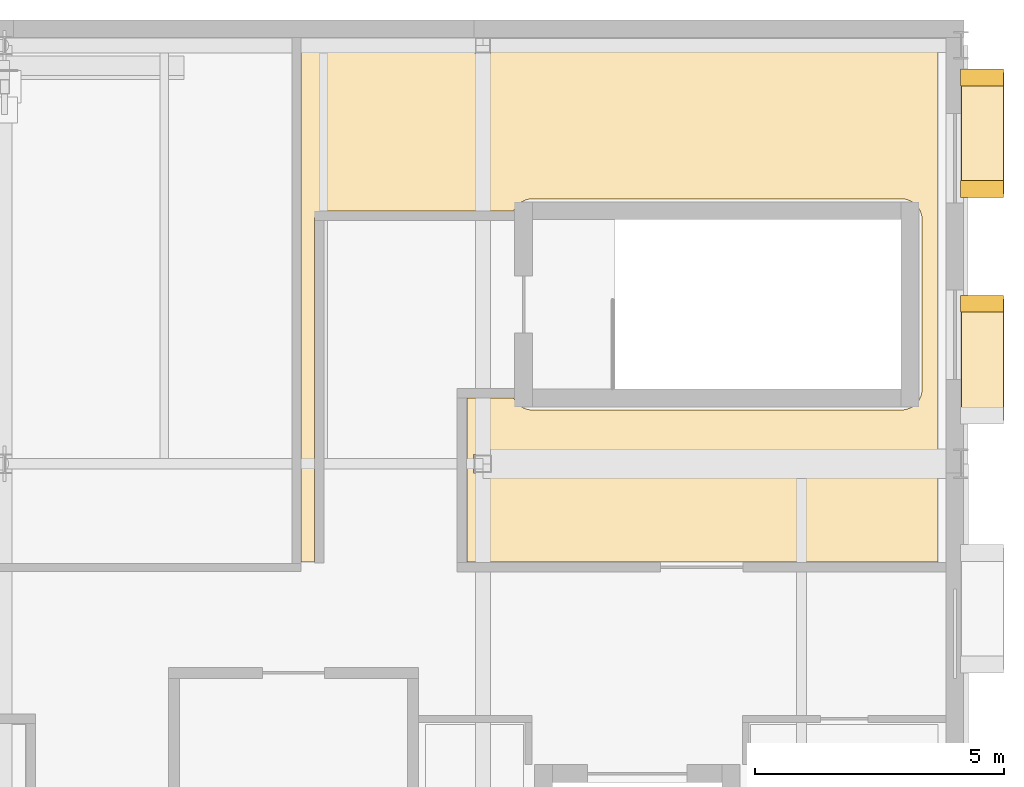
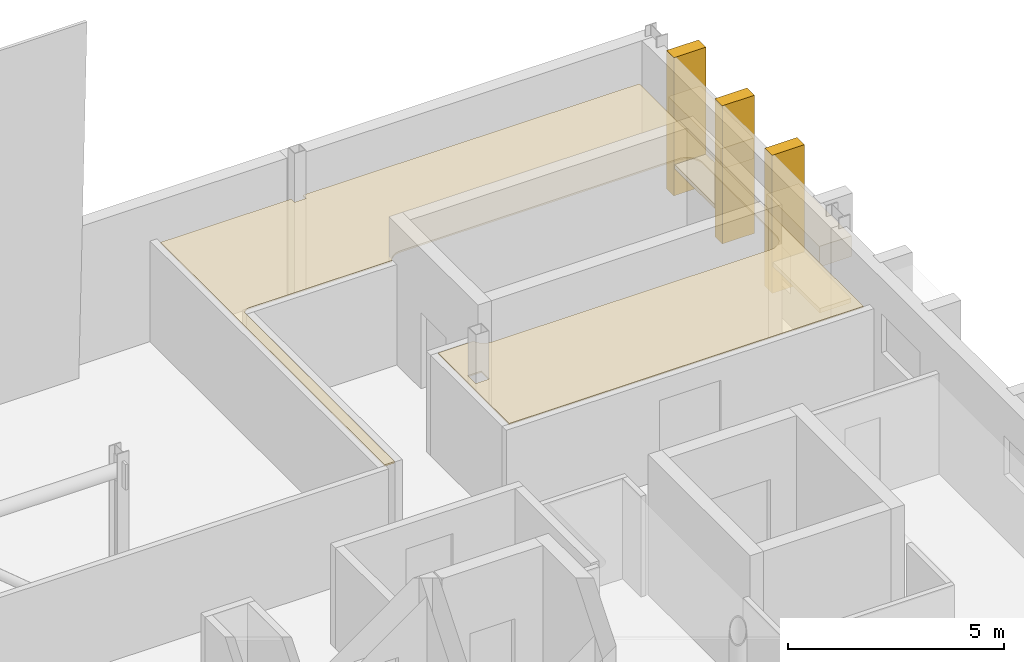
# One storey, part 10 of 10: 8 coverings.
"""IFC4 building model written with IfcOpenShell, lengths in metres."""

from ifc_helpers import new_model, si_unit, direction, frame, origin, origin_2d, place, context, subcontext, project, spatial, polyline, rectangle, outline, extrude, material, layer, layer_set, type_object, element, save


model = new_model("IFC4")

# Units and contexts
model_context = context("Model", 3, precision=1e-05, world=origin(), true_north=direction((0.0, 1.0)))
body_context = subcontext(model_context, "Body", "Model", "MODEL_VIEW")
ifc_project = project(units=[si_unit("LENGTHUNIT", "METRE"), si_unit("AREAUNIT", "SQUARE_METRE"), si_unit("VOLUMEUNIT", "CUBIC_METRE"), si_unit("PLANEANGLEUNIT", "RADIAN"), si_unit("MASSUNIT", "GRAM", prefix="KILO")], contexts=[model_context])

# Site, building, storey
site_placement = place(None, origin())
site = spatial("IfcSite", under=ifc_project, at=site_placement, CompositionType="ELEMENT")
building_placement = place(site_placement, origin())
building = spatial("IfcBuilding", under=site, at=building_placement, Name="Zereglee Splitstone Museum", CompositionType="ELEMENT")
storey_placement = place(building_placement, frame((0.0, 0.0, 25.5)))
storey = spatial("IfcBuildingStorey", under=building, at=storey_placement, Name="L05", CompositionType="ELEMENT", Elevation=25.5)

# Coverings
ifc_material_1 = material(Name="Perforated acoustic gypsum board ceiling", Category="masonry")
ifc_layer_1 = layer(ifc_material_1, 0.044921875)
ifc_layer_set_1 = layer_set([ifc_layer_1], Name="Perforated acoustic gypsum board ceiling")
covering_type_1 = type_object("IfcCoveringType", Name="CLG-02", PredefinedType="CEILING", material=ifc_layer_set_1)
covering_1_placement = place(storey_placement, frame((0.0, 0.0, 2.794921875)))
element("IfcCovering", 1, at=covering_1_placement, inside=storey, type_object=covering_type_1, Name="Acoustic Ceiling L05-063", PredefinedType="CEILING", context=body_context, shape_type="SweptSolid", body=[
    extrude(outline(polyline([(26.799072265625, 26.679931640625), (26.783203125, 26.67919921875), (26.781494140625, 26.678955078125), (26.765869140625, 26.6767578125), (26.763916015625, 26.67626953125), (26.748779296875, 26.672607421875), (26.746826171875, 26.671875), (26.73193359375, 26.666748046875), (26.730224609375, 26.666015625), (26.716064453125, 26.6591796875), (26.71435546875, 26.658203125), (26.70068359375, 26.650146484375), (26.69921875, 26.649169921875), (26.6865234375, 26.6396484375), (26.68505859375, 26.638427734375), (26.67333984375, 26.6279296875), (26.672119140625, 26.626708984375), (26.66162109375, 26.614990234375), (26.660400390625, 26.61328125), (26.65087890625, 26.600830078125), (26.64990234375, 26.59912109375), (26.6416015625, 26.585693359375), (26.640869140625, 26.583984375), (26.634033203125, 26.56982421875), (26.63330078125, 26.568115234375), (26.628173828125, 26.55322265625), (26.62744140625, 26.55126953125), (26.623779296875, 26.5361328125), (26.623291015625, 26.5341796875), (26.62109375, 26.5185546875), (26.620849609375, 26.5166015625), (26.6201171875, 26.5009765625), (26.6201171875, 26.5), (26.6201171875, 19.6298828125), (26.35302734375, 19.6298828125), (26.35302734375, 29.989990234375), (29.842041015625, 29.989990234375), (29.842041015625, 29.842041015625), (30.157958984375, 29.842041015625), (30.157958984375, 29.989990234375), (39.139892578125, 29.989990234375), (39.139892578125, 19.6298828125), (29.679931640625, 19.6298828125), (29.679931640625, 22.919921875), (30.62109375, 22.919921875), (30.629638671875, 22.902099609375), (30.65087890625, 22.86669921875), (30.67529296875, 22.83349609375), (30.702880859375, 22.802978515625), (30.733642578125, 22.775390625), (30.7666015625, 22.750732421875), (30.802001953125, 22.7294921875), (30.83935546875, 22.7119140625), (30.878173828125, 22.697998046875), (30.918212890625, 22.68798828125), (30.958740234375, 22.681884765625), (31.0, 22.679931640625), (38.39990234375, 22.679931640625), (38.441162109375, 22.681884765625), (38.48193359375, 22.68798828125), (38.52197265625, 22.697998046875), (38.560791015625, 22.7119140625), (38.597900390625, 22.7294921875), (38.63330078125, 22.750732421875), (38.66650390625, 22.775390625), (38.697021484375, 22.802978515625), (38.724609375, 22.83349609375), (38.749267578125, 22.86669921875), (38.7705078125, 22.902099609375), (38.7880859375, 22.939208984375), (38.802001953125, 22.97802734375), (38.81201171875, 23.01806640625), (38.818115234375, 23.058837890625), (38.820068359375, 23.10009765625), (38.820068359375, 26.5), (38.818115234375, 26.541259765625), (38.81201171875, 26.581787109375), (38.802001953125, 26.621826171875), (38.7880859375, 26.66064453125), (38.7705078125, 26.697998046875), (38.749267578125, 26.7333984375), (38.724609375, 26.766357421875), (38.697021484375, 26.797119140625), (38.66650390625, 26.82470703125), (38.63330078125, 26.84912109375), (38.597900390625, 26.870361328125), (38.560791015625, 26.887939453125), (38.52197265625, 26.90185546875), (38.48193359375, 26.911865234375), (38.441162109375, 26.91796875), (38.39990234375, 26.919921875), (31.0, 26.919921875), (30.958740234375, 26.91796875), (30.918212890625, 26.911865234375), (30.878173828125, 26.90185546875), (30.83935546875, 26.887939453125), (30.802001953125, 26.870361328125), (30.7666015625, 26.84912109375), (30.733642578125, 26.82470703125), (30.702880859375, 26.797119140625), (30.67529296875, 26.766357421875), (30.65087890625, 26.7333984375), (30.629638671875, 26.697998046875), (30.62109375, 26.679931640625), (26.800048828125, 26.679931640625), (26.799072265625, 26.679931640625)]), holes=[polyline([(30.18310546875, 21.782958984375), (29.81689453125, 21.782958984375), (29.81689453125, 21.4169921875), (30.18310546875, 21.4169921875), (30.18310546875, 21.782958984375)])]), origin(), (0.0, 0.0, 1.0), 0.045166015625),
])
ifc_material_2 = material(Name="Honed Gobi pale limestone stringcourse and soffit cladding", Category="masonry")
ifc_layer_2 = layer(ifc_material_2, 0.070068359375)
ifc_layer_set_2 = layer_set([ifc_layer_2], Name="Honed Gobi pale limestone stringcourse and soffit cladding")
covering_type_2 = type_object("IfcCoveringType", Name="CL-02", PredefinedType="CLADDING", material=ifc_layer_set_2)
covering_2_placement = place(storey_placement, frame((40.02490234375, 24.8125, 0.0), z_axis=(0.0, 0.0, 1.0), x_axis=(0.0, 1.0, 0.0)))
element("IfcCovering", 2, at=covering_2_placement, inside=storey, type_object=covering_type_2, Name="Mughal Window Reveal Stone Pilaster L05-0157R", PredefinedType="CLADDING", context=body_context, shape_type="SweptSolid", body=[
    extrude(rectangle(XDim=0.340087890625, YDim=0.860107421875, at=origin_2d()), origin(), (0.0, 0.0, 1.0), 3.89990234375),
])
covering_3_placement = place(storey_placement, frame((40.034912109375, 23.6923828125, 0.760009765625), z_axis=(0.0, 0.0, 1.0), x_axis=(0.0, 1.0, 0.0)))
element("IfcCovering", 3, at=covering_3_placement, inside=storey, type_object=covering_type_2, Name="Carved Limestone Window Sill L05-0157", PredefinedType="CLADDING", context=body_context, shape_type="SweptSolid", body=[
    extrude(rectangle(XDim=2.43994140625, YDim=0.840087890625, at=origin_2d()), origin(), (0.0, 0.0, 1.0), 0.1201171875),
])
for number, where, z_axis, x_axis, name in (
    (4, (40.02490234375, 27.117431640625, 0.0), (0.0, 0.0, 1.0), (0.0, 1.0, 0.0), "Mughal Window Reveal Stone Pilaster L05-0158L"),
    (5, (40.02490234375, 29.357421875, 0.0), (0.0, 0.0, 1.0), (0.0, 1.0, 0.0), "Mughal Window Reveal Stone Pilaster L05-0158R"),
):
    element("IfcCovering", number, at=place(storey_placement, frame(where, z_axis=z_axis, x_axis=x_axis)), inside=storey, type_object=covering_type_2, Name=name, PredefinedType="CLADDING", context=body_context, shape_type="SweptSolid", body=[
        extrude(rectangle(XDim=0.340087890625, YDim=0.860107421875, at=origin_2d()), origin(), (0.0, 0.0, 1.0), 3.89990234375),
    ])
covering_4_placement = place(storey_placement, frame((40.034912109375, 28.237548828125, 0.760009765625), z_axis=(0.0, 0.0, 1.0), x_axis=(0.0, 1.0, 0.0)))
element("IfcCovering", 6, at=covering_4_placement, inside=storey, type_object=covering_type_2, Name="Carved Limestone Window Sill L05-0158", PredefinedType="CLADDING", context=body_context, shape_type="SweptSolid", body=[
    extrude(rectangle(XDim=2.43994140625, YDim=0.840087890625, at=origin_2d()), origin(), (0.0, 0.0, 1.0), 0.1201171875),
])
ifc_material_3 = material(Name="Honed Khoroo red sandstone ventilated rainscreen", Category="masonry")
ifc_layer_3 = layer(ifc_material_3, 0.080078125)
ifc_layer_set_3 = layer_set([ifc_layer_3], Name="Honed Khoroo red sandstone ventilated rainscreen")
covering_type_3 = type_object("IfcCoveringType", Name="CL-01", PredefinedType="CLADDING", material=ifc_layer_set_3)
for number, where, z_axis, x_axis, name in (
    (7, (40.034912109375, 23.6923828125, 2.06005859375), (0.0, 0.0, 1.0), (0.0, 1.0, 0.0), "Pointed-Arch Mughal Window Hood L05-0157"),
    (8, (40.034912109375, 28.237548828125, 2.06005859375), (0.0, 0.0, 1.0), (0.0, 1.0, 0.0), "Pointed-Arch Mughal Window Hood L05-0158"),
):
    element("IfcCovering", number, at=place(storey_placement, frame(where, z_axis=z_axis, x_axis=x_axis)), inside=storey, type_object=covering_type_3, Name=name, PredefinedType="CLADDING", context=body_context, shape_type="SweptSolid", body=[
        extrude(rectangle(XDim=2.43994140625, YDim=0.860107421875, at=origin_2d()), origin(), (0.0, 0.0, 1.0), 0.580078125),
    ])

save(model, "model.ifc")
